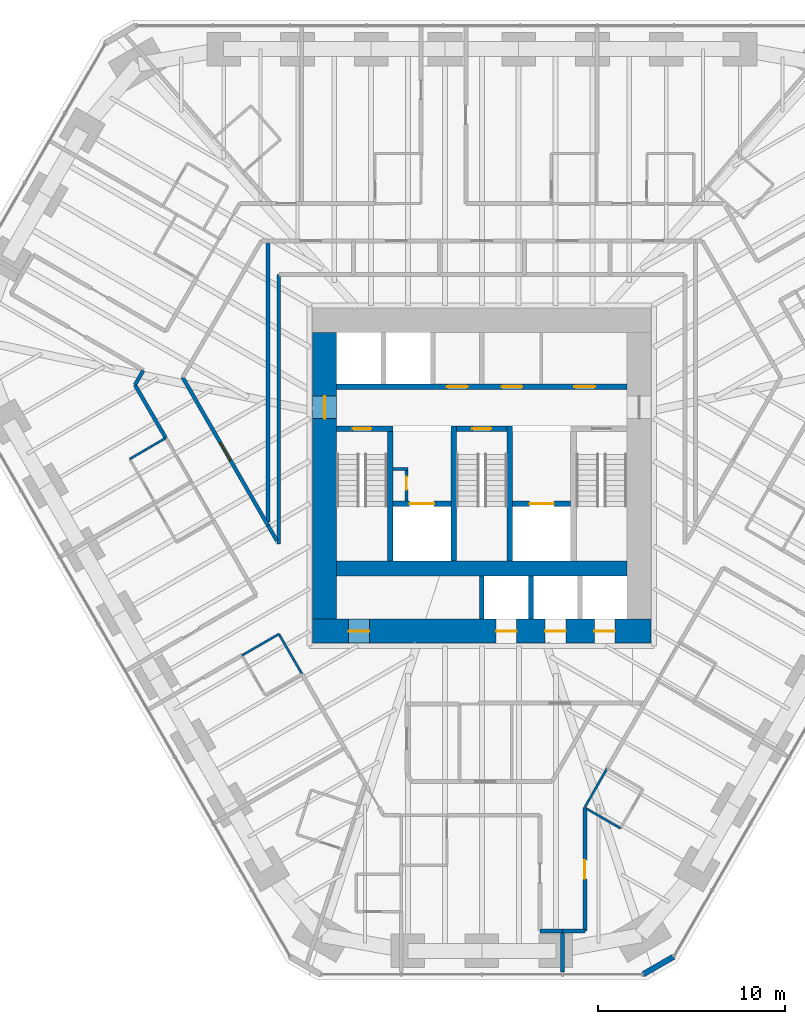
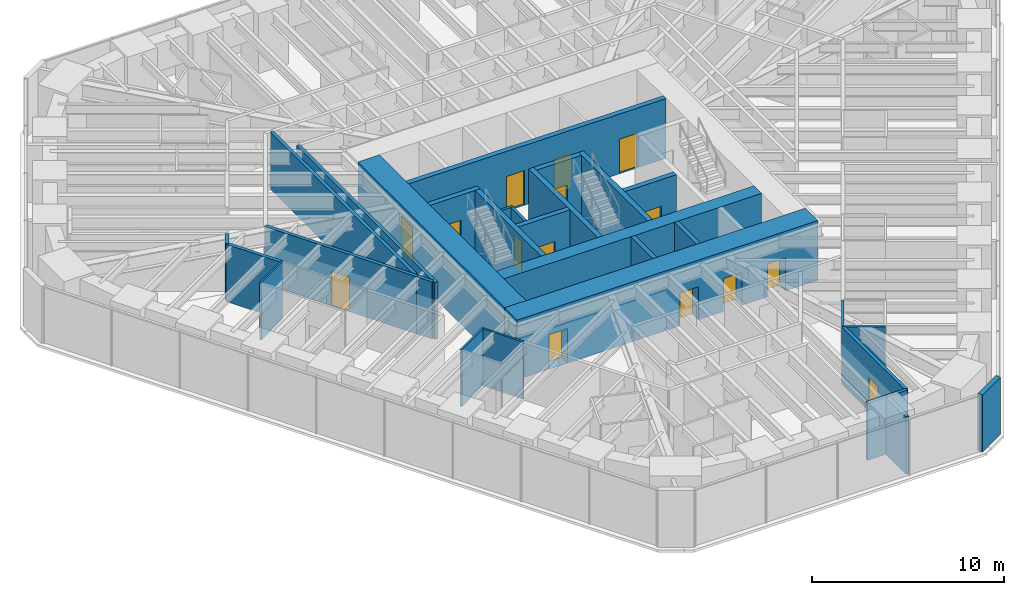
# One storey, part 12 of 17: 31 walls, 15 doors, 15 openings.
"""IFC4 building model written with IfcOpenShell, lengths in metres."""

from ifc_helpers import new_model, si_unit, direction, frame, frame_2d, origin, place, context, subcontext, project, spatial, rectangle, extrude, material, layer, layer_set, type_object, element, fill, save


model = new_model("IFC4")

# Units and contexts
model_context = context("Model", 3, precision=1e-05, world=origin(), true_north=direction((0.0, 1.0)))
body_context = subcontext(model_context, "Body", "Model", "MODEL_VIEW")
ifc_project = project(units=[si_unit("LENGTHUNIT", "METRE"), si_unit("AREAUNIT", "SQUARE_METRE"), si_unit("VOLUMEUNIT", "CUBIC_METRE"), si_unit("PLANEANGLEUNIT", "RADIAN"), si_unit("MASSUNIT", "GRAM", prefix="KILO")], contexts=[model_context])

# Site, building, storey
site_placement = place(None, origin())
site = spatial("IfcSite", under=ifc_project, at=site_placement, CompositionType="ELEMENT")
building_placement = place(site_placement, origin())
building = spatial("IfcBuilding", under=site, at=building_placement, Name="Sandreach Pilgrim Tower", CompositionType="ELEMENT")
storey_placement = place(building_placement, frame((0.0, 0.0, 123.39990234375)))
storey = spatial("IfcBuildingStorey", under=building, at=storey_placement, Name="L30", CompositionType="ELEMENT", Elevation=123.39990234375)

# Walls
ifc_material_1 = material(Name="Moisture-resistant gypsum board on steel studs", Category="steel")
ifc_layer_1 = layer(ifc_material_1, 0.1201171875)
ifc_layer_set_1 = layer_set([ifc_layer_1], Name="Bathroom partition 120")
wall_type_1 = type_object("IfcWallType", Name="Bathroom partition 120", PredefinedType="PARTITIONING", material=ifc_layer_set_1)
wall_1_placement = place(storey_placement, frame((-16.889892578125, 0.4599609375, 0.0), z_axis=(0.0, 0.0, 1.0), x_axis=(-0.863822716314, -0.503795905878, 0.0)))
element("IfcWall", 1, at=wall_1_placement, inside=storey, type_object=wall_type_1, Name="Bathroom partition L30-016", PredefinedType="PARTITIONING", context=body_context, shape_type="SweptSolid", body=[
    extrude(rectangle(XDim=2.222900390625, YDim=0.1201171875, at=frame_2d((1.111328125, 0.0))), origin(), (0.0, 0.0, 1.0), 3.64013671875),
])
wall_2_placement = place(storey_placement, frame((-12.81005859375, -11.14990234375, 0.0), z_axis=(0.0, 0.0, 1.0), x_axis=(0.865543766642, 0.500833293649, 0.0)))
element("IfcWall", 2, at=wall_2_placement, inside=storey, type_object=wall_type_1, Name="Bathroom partition L30-035", PredefinedType="PARTITIONING", context=body_context, shape_type="SweptSolid", body=[
    extrude(rectangle(XDim=2.27587890625, YDim=0.1201171875, at=frame_2d((1.137939453125, 0.0))), origin(), (0.0, 0.0, 1.0), 3.64013671875),
])
wall_3_placement = place(storey_placement, frame((-10.840087890625, -10.010009765625, 0.0), z_axis=(0.0, 0.0, 1.0), x_axis=(0.500089055364, -0.86597398154, 0.0)))
element("IfcWall", 3, at=wall_3_placement, inside=storey, type_object=wall_type_1, Name="Bathroom partition L30-048", PredefinedType="PARTITIONING", context=body_context, shape_type="SweptSolid", body=[
    extrude(rectangle(XDim=2.45947265625, YDim=0.1201171875, at=frame_2d((1.229736328125, 0.0))), origin(), (0.0, 0.0, 1.0), 3.64013671875),
])
wall_4_placement = place(storey_placement, frame((5.510009765625, -19.25, 0.0), z_axis=(0.0, 0.0, 1.0), x_axis=(0.498837591974, 0.866695481028, 0.0)))
element("IfcWall", 4, at=wall_4_placement, inside=storey, type_object=wall_type_1, Name="Bathroom partition L30-105", PredefinedType="PARTITIONING", context=body_context, shape_type="SweptSolid", body=[
    extrude(rectangle(XDim=2.365478515625, YDim=0.1201171875, at=frame_2d((1.1826171875, 0.0))), origin(), (0.0, 0.0, 1.0), 3.64013671875),
])
wall_5_placement = place(storey_placement, frame((5.566162109375, -19.322509765625, 0.0), z_axis=(0.0, 0.0, 1.0), x_axis=(0.865436746432, -0.501018201192, 0.0)))
element("IfcWall", 5, at=wall_5_placement, inside=storey, type_object=wall_type_1, Name="Bathroom partition L30-106", PredefinedType="PARTITIONING", context=body_context, shape_type="SweptSolid", body=[
    extrude(rectangle(XDim=2.13037109375, YDim=0.1201171875, at=frame_2d((1.065185546875, 0.0))), origin(), (0.0, 0.0, 1.0), 3.64013671875),
])
ifc_material_2 = material(Name="Concrete 10000 psi", Category="concrete")
ifc_layer_2 = layer(ifc_material_2, 0.300048828125)
ifc_layer_set_2 = layer_set([ifc_layer_2], Name="Core inner wall 300")
wall_type_2 = type_object("IfcWallType", Name="Core inner wall 300", PredefinedType="SHEAR", material=ifc_layer_set_2)
for number, where, z_axis, x_axis, name in (
    (6, (-4.89990234375, -6.10009765625, 0.0), (0.0, 0.0, 1.0), (0.0, 1.0, 0.0), "Core wall I0 L30"),
    (7, (-1.5, -6.10009765625, 0.0), (0.0, 0.0, 1.0), (0.0, 1.0, 0.0), "Core wall I1 L30"),
    (8, (1.5, -6.10009765625, 0.0), (0.0, 0.0, 1.0), (0.0, 1.0, 0.0), "Core wall I2 L30"),
):
    element("IfcWall", number, at=place(storey_placement, frame(where, z_axis=z_axis, x_axis=x_axis)), inside=storey, type_object=wall_type_2, Name=name, PredefinedType="SHEAR", context=body_context, shape_type="SweptSolid", body=[
        extrude(rectangle(XDim=7.2001953125, YDim=0.300048828125, at=frame_2d((3.60009765625, 0.0))), origin(), (0.0, 0.0, 1.0), 3.800048828125),
    ])

# Wall, opening, door
wall_6_placement = place(storey_placement, frame((-7.75, 0.949951171875, 0.0), z_axis=(0.0, 0.0, 1.0), x_axis=(1.0, 0.0, 0.0)))
wall_6 = element("IfcWall", 9, at=wall_6_placement, inside=storey, type_object=wall_type_2, Name="Core wall SN1 L30", PredefinedType="SHEAR", context=body_context, shape_type="SweptSolid", body=[
    extrude(rectangle(XDim=3.0, YDim=0.300048828125, at=frame_2d((1.5, 0.0))), origin(), (0.0, 0.0, 1.0), 3.800048828125),
])
opening_1_placement = place(wall_6_placement, frame((0.85009765625, 0.0, 0.0)))
opening_1 = element("IfcOpeningElement", 10, at=opening_1_placement, cuts=wall_6, Name="Opening D10S-ST1", PredefinedType="OPENING", context=body_context, shape_type="SweptSolid", body=[
    extrude(rectangle(XDim=1.0, YDim=2.199951171875, at=frame_2d((0.5, 1.10009765625))), frame((0.0, 0.14990234375, 0.0), z_axis=(0.0, -1.0, 0.0), x_axis=(1.0, 0.0, 0.0)), (0.0, 0.0, 1.0), 0.300048828125),
])
ifc_material_3 = material(Name="Steel door and frame", Category="steel")
door_type_1 = type_object("IfcDoorType", Name="Stair door", OperationType="SINGLE_SWING_LEFT", PredefinedType="DOOR", material=ifc_material_3)
door_1_placement = place(opening_1_placement, origin())
door_1 = element("IfcDoor", 11, at=door_1_placement, inside=storey, type_object=door_type_1, Name="Stair door ST1 L30", OperationType="SINGLE_SWING_LEFT", OverallHeight=2.199951171875, OverallWidth=1.0, PredefinedType="DOOR", context=body_context, shape_type="SweptSolid", body=[
    extrude(rectangle(XDim=1.0, YDim=2.199951171875, at=frame_2d((0.5, 1.10009765625))), frame((0.0, 0.02490234375, 0.0), z_axis=(0.0, -1.0, 0.0), x_axis=(1.0, 0.0, 0.0)), (0.0, 0.0, 1.0), 0.050048828125),
])
fill(opening_1, door_1)

wall_7_placement = place(storey_placement, frame((-1.35009765625, 0.949951171875, 0.0), z_axis=(0.0, 0.0, 1.0), x_axis=(1.0, 0.0, 0.0)))
wall_7 = element("IfcWall", 12, at=wall_7_placement, inside=storey, type_object=wall_type_2, Name="Core wall SN3 L30", PredefinedType="SHEAR", context=body_context, shape_type="SweptSolid", body=[
    extrude(rectangle(XDim=2.7001953125, YDim=0.300048828125, at=frame_2d((1.35009765625, 0.0))), origin(), (0.0, 0.0, 1.0), 3.800048828125),
])
opening_2_placement = place(wall_7_placement, frame((0.85009765625, 0.0, 0.0)))
opening_2 = element("IfcOpeningElement", 13, at=opening_2_placement, cuts=wall_7, Name="Opening D10S-ST3", PredefinedType="OPENING", context=body_context, shape_type="SweptSolid", body=[
    extrude(rectangle(XDim=1.0, YDim=2.199951171875, at=frame_2d((0.5, 1.10009765625))), frame((0.0, 0.14990234375, 0.0), z_axis=(0.0, -1.0, 0.0), x_axis=(1.0, 0.0, 0.0)), (0.0, 0.0, 1.0), 0.300048828125),
])
door_2_placement = place(opening_2_placement, origin())
door_2 = element("IfcDoor", 14, at=door_2_placement, inside=storey, type_object=door_type_1, Name="Stair door ST3 L30", OperationType="SINGLE_SWING_LEFT", OverallHeight=2.199951171875, OverallWidth=1.0, PredefinedType="DOOR", context=body_context, shape_type="SweptSolid", body=[
    extrude(rectangle(XDim=1.0, YDim=2.199951171875, at=frame_2d((0.5, 1.10009765625))), frame((0.0, 0.02490234375, 0.0), z_axis=(0.0, -1.0, 0.0), x_axis=(1.0, 0.0, 0.0)), (0.0, 0.0, 1.0), 0.050048828125),
])
fill(opening_2, door_2)

wall_8_placement = place(storey_placement, frame((-4.75, -3.050048828125, 0.0), z_axis=(0.0, 0.0, 1.0), x_axis=(1.0, 0.0, 0.0)))
wall_8 = element("IfcWall", 15, at=wall_8_placement, inside=storey, type_object=wall_type_2, Name="Core wall FL1 L30", PredefinedType="SHEAR", context=body_context, shape_type="SweptSolid", body=[
    extrude(rectangle(XDim=3.10009765625, YDim=0.300048828125, at=frame_2d((1.550048828125, 0.0))), origin(), (0.0, 0.0, 1.0), 3.800048828125),
])
opening_3_placement = place(wall_8_placement, frame((0.89990234375, 0.0, 0.0)))
opening_3 = element("IfcOpeningElement", 16, at=opening_3_placement, cuts=wall_8, Name="Opening LD13", PredefinedType="OPENING", context=body_context, shape_type="SweptSolid", body=[
    extrude(rectangle(XDim=1.300048828125, YDim=2.10009765625, at=frame_2d((0.64990234375, 1.050048828125))), frame((0.0, 0.14990234375, 0.0), z_axis=(0.0, -1.0, 0.0), x_axis=(1.0, 0.0, 0.0)), (0.0, 0.0, 1.0), 0.300048828125),
])
ifc_material_4 = material(Name="Steel door and frame", Category="steel")
door_type_2 = type_object("IfcDoorType", Name="Fire service lift landing door", OperationType="DOUBLE_DOOR_SLIDING", PredefinedType="DOOR", material=ifc_material_4)
door_3_placement = place(opening_3_placement, origin())
door_3 = element("IfcDoor", 17, at=door_3_placement, inside=storey, type_object=door_type_2, Name="Lift landing door FS1 L30", OperationType="DOUBLE_DOOR_SLIDING", OverallHeight=2.10009765625, OverallWidth=1.300048828125, PredefinedType="DOOR", context=body_context, shape_type="SweptSolid", body=[
    extrude(rectangle(XDim=1.300048828125, YDim=2.10009765625, at=frame_2d((0.64990234375, 1.050048828125))), frame((0.0, 0.02490234375, 0.0), z_axis=(0.0, -1.0, 0.0), x_axis=(1.0, 0.0, 0.0)), (0.0, 0.0, 1.0), 0.050048828125),
])
fill(opening_3, door_3)

wall_9_placement = place(storey_placement, frame((1.64990234375, -3.050048828125, 0.0), z_axis=(0.0, 0.0, 1.0), x_axis=(1.0, 0.0, 0.0)))
wall_9 = element("IfcWall", 18, at=wall_9_placement, inside=storey, type_object=wall_type_2, Name="Core wall FL2 L30", PredefinedType="SHEAR", context=body_context, shape_type="SweptSolid", body=[
    extrude(rectangle(XDim=3.10009765625, YDim=0.300048828125, at=frame_2d((1.550048828125, 0.0))), origin(), (0.0, 0.0, 1.0), 3.800048828125),
])
opening_4_placement = place(wall_9_placement, frame((0.89990234375, 0.0, 0.0)))
opening_4 = element("IfcOpeningElement", 19, at=opening_4_placement, cuts=wall_9, Name="Opening LD13", PredefinedType="OPENING", context=body_context, shape_type="SweptSolid", body=[
    extrude(rectangle(XDim=1.300048828125, YDim=2.10009765625, at=frame_2d((0.64990234375, 1.050048828125))), frame((0.0, 0.14990234375, 0.0), z_axis=(0.0, -1.0, 0.0), x_axis=(1.0, 0.0, 0.0)), (0.0, 0.0, 1.0), 0.300048828125),
])
door_4_placement = place(opening_4_placement, origin())
door_4 = element("IfcDoor", 20, at=door_4_placement, inside=storey, type_object=door_type_2, Name="Lift landing door FS2 L30", OperationType="DOUBLE_DOOR_SLIDING", OverallHeight=2.10009765625, OverallWidth=1.300048828125, PredefinedType="DOOR", context=body_context, shape_type="SweptSolid", body=[
    extrude(rectangle(XDim=1.300048828125, YDim=2.10009765625, at=frame_2d((0.64990234375, 1.050048828125))), frame((0.0, 0.02490234375, 0.0), z_axis=(0.0, -1.0, 0.0), x_axis=(1.0, 0.0, 0.0)), (0.0, 0.0, 1.0), 0.050048828125),
])
fill(opening_4, door_4)

# Wall, openings, doors
wall_10_placement = place(storey_placement, frame((-7.75, 3.199951171875, 0.0), z_axis=(0.0, 0.0, 1.0), x_axis=(1.0, 0.0, 0.0)))
wall_10 = element("IfcWall", 21, at=wall_10_placement, inside=storey, type_object=wall_type_2, Name="Core wall PN L30", PredefinedType="SHEAR", context=body_context, shape_type="SweptSolid", body=[
    extrude(rectangle(XDim=15.5, YDim=0.300048828125, at=frame_2d((7.75, 0.0))), origin(), (0.0, 0.0, 1.0), 3.800048828125),
])
opening_5_placement = place(wall_10_placement, frame((5.887451171875, 0.0, 0.0)))
opening_5 = element("IfcOpeningElement", 22, at=opening_5_placement, cuts=wall_10, Name="Opening D11L", PredefinedType="OPENING", context=body_context, shape_type="SweptSolid", body=[
    extrude(rectangle(XDim=1.10009765625, YDim=2.199951171875, at=frame_2d((0.550048828125, 1.10009765625))), frame((0.0, 0.14990234375, 0.0), z_axis=(0.0, -1.0, 0.0), x_axis=(1.0, 0.0, 0.0)), (0.0, 0.0, 1.0), 0.300048828125),
])
opening_6_placement = place(wall_10_placement, frame((8.8125, 0.0, 0.0)))
opening_6 = element("IfcOpeningElement", 23, at=opening_6_placement, cuts=wall_10, Name="Opening D11L", PredefinedType="OPENING", context=body_context, shape_type="SweptSolid", body=[
    extrude(rectangle(XDim=1.10009765625, YDim=2.199951171875, at=frame_2d((0.550048828125, 1.10009765625))), frame((0.0, 0.14990234375, 0.0), z_axis=(0.0, -1.0, 0.0), x_axis=(1.0, 0.0, 0.0)), (0.0, 0.0, 1.0), 0.300048828125),
])
opening_7_placement = place(wall_10_placement, frame((12.699951171875, 0.0, 0.0)))
opening_7 = element("IfcOpeningElement", 24, at=opening_7_placement, cuts=wall_10, Name="Opening D11L", PredefinedType="OPENING", context=body_context, shape_type="SweptSolid", body=[
    extrude(rectangle(XDim=1.10009765625, YDim=2.199951171875, at=frame_2d((0.550048828125, 1.10009765625))), frame((0.0, 0.14990234375, 0.0), z_axis=(0.0, -1.0, 0.0), x_axis=(1.0, 0.0, 0.0)), (0.0, 0.0, 1.0), 0.300048828125),
])
ifc_material_5 = material(Name="Steel door and frame, smoke seals", Category="steel")
door_type_3 = type_object("IfcDoorType", Name="Core room door", OperationType="SINGLE_SWING_LEFT", PredefinedType="DOOR", material=ifc_material_5)
door_5_placement = place(opening_5_placement, origin())
door_5 = element("IfcDoor", 25, at=door_5_placement, inside=storey, type_object=door_type_3, Name="Door vending and ice room 30K1", OperationType="SINGLE_SWING_LEFT", OverallHeight=2.199951171875, OverallWidth=1.10009765625, PredefinedType="DOOR", context=body_context, shape_type="SweptSolid", body=[
    extrude(rectangle(XDim=1.10009765625, YDim=2.199951171875, at=frame_2d((0.550048828125, 1.10009765625))), frame((0.0, 0.02490234375, 0.0), z_axis=(0.0, -1.0, 0.0), x_axis=(1.0, 0.0, 0.0)), (0.0, 0.0, 1.0), 0.050048828125),
])
fill(opening_5, door_5)
door_6_placement = place(opening_6_placement, origin())
door_6 = element("IfcDoor", 26, at=door_6_placement, inside=storey, type_object=door_type_3, Name="Door linen store 30K2", OperationType="SINGLE_SWING_RIGHT", OverallHeight=2.199951171875, OverallWidth=1.10009765625, PredefinedType="DOOR", context=body_context, shape_type="SweptSolid", body=[
    extrude(rectangle(XDim=1.10009765625, YDim=2.199951171875, at=frame_2d((0.550048828125, 1.10009765625))), frame((0.0, 0.02490234375, 0.0), z_axis=(0.0, -1.0, 0.0), x_axis=(1.0, 0.0, 0.0)), (0.0, 0.0, 1.0), 0.050048828125),
])
fill(opening_6, door_6)
door_7_placement = place(opening_7_placement, origin())
door_7 = element("IfcDoor", 27, at=door_7_placement, inside=storey, type_object=door_type_3, Name="Door cleaners store 30K3", OperationType="SINGLE_SWING_RIGHT", OverallHeight=2.199951171875, OverallWidth=1.10009765625, PredefinedType="DOOR", context=body_context, shape_type="SweptSolid", body=[
    extrude(rectangle(XDim=1.10009765625, YDim=2.199951171875, at=frame_2d((0.550048828125, 1.10009765625))), frame((0.0, 0.02490234375, 0.0), z_axis=(0.0, -1.0, 0.0), x_axis=(1.0, 0.0, 0.0)), (0.0, 0.0, 1.0), 0.050048828125),
])
fill(opening_7, door_7)

# Wall
ifc_material_6 = material(Name="Concrete 10000 psi", Category="concrete")
ifc_layer_3 = layer(ifc_material_6, 0.800048828125)
ifc_layer_set_3 = layer_set([ifc_layer_3], Name="Core mid wall 800")
wall_type_3 = type_object("IfcWallType", Name="Core mid wall 800", PredefinedType="SHEAR", material=ifc_layer_set_3)
wall_11_placement = place(storey_placement, frame((-7.75, -6.5, 0.0), z_axis=(0.0, 0.0, 1.0), x_axis=(1.0, 0.0, 0.0)))
element("IfcWall", 28, at=wall_11_placement, inside=storey, type_object=wall_type_3, Name="Core wall M L30", PredefinedType="SHEAR", context=body_context, shape_type="SweptSolid", body=[
    extrude(rectangle(XDim=15.5, YDim=0.800048828125, at=frame_2d((7.75, 0.0))), origin(), (0.0, 0.0, 1.0), 3.800048828125),
])

# Wall, openings, doors
ifc_material_7 = material(Name="Concrete 10000 psi", Category="concrete")
ifc_layer_4 = layer(ifc_material_7, 1.300048828125)
ifc_layer_set_4 = layer_set([ifc_layer_4], Name="Core wall 1300")
wall_type_4 = type_object("IfcWallType", Name="Core wall 1300", PredefinedType="SHEAR", material=ifc_layer_set_4)
wall_12_placement = place(storey_placement, frame((-9.050048828125, -9.85009765625, 0.0), z_axis=(0.0, 0.0, 1.0), x_axis=(1.0, 0.0, 0.0)))
wall_12 = element("IfcWall", 29, at=wall_12_placement, inside=storey, type_object=wall_type_4, Name="Core wall S L30", PredefinedType="SHEAR", context=body_context, shape_type="SweptSolid", body=[
    extrude(rectangle(XDim=18.10009765625, YDim=1.300048828125, at=frame_2d((9.050048828125, 0.0))), origin(), (0.0, 0.0, 1.0), 3.800048828125),
])
opening_8_placement = place(wall_12_placement, frame((1.9375, 0.0, 0.0)))
opening_8 = element("IfcOpeningElement", 30, at=opening_8_placement, cuts=wall_12, Name="Opening D11H", PredefinedType="OPENING", context=body_context, shape_type="SweptSolid", body=[
    extrude(rectangle(XDim=1.10009765625, YDim=2.199951171875, at=frame_2d((0.550048828125, 1.10009765625))), frame((0.0, 0.64990234375, 0.0), z_axis=(0.0, -1.0, 0.0), x_axis=(1.0, 0.0, 0.0)), (0.0, 0.0, 1.0), 1.300048828125),
])
opening_9_placement = place(wall_12_placement, frame((9.8125, 0.0, 0.0)))
opening_9 = element("IfcOpeningElement", 31, at=opening_9_placement, cuts=wall_12, Name="Opening LD11", PredefinedType="OPENING", context=body_context, shape_type="SweptSolid", body=[
    extrude(rectangle(XDim=1.10009765625, YDim=2.10009765625, at=frame_2d((0.550048828125, 1.050048828125))), frame((0.0, 0.64990234375, 0.0), z_axis=(0.0, -1.0, 0.0), x_axis=(1.0, 0.0, 0.0)), (0.0, 0.0, 1.0), 1.300048828125),
])
opening_10_placement = place(wall_12_placement, frame((12.4375, 0.0, 0.0)))
opening_10 = element("IfcOpeningElement", 32, at=opening_10_placement, cuts=wall_12, Name="Opening LD11", PredefinedType="OPENING", context=body_context, shape_type="SweptSolid", body=[
    extrude(rectangle(XDim=1.10009765625, YDim=2.10009765625, at=frame_2d((0.550048828125, 1.050048828125))), frame((0.0, 0.64990234375, 0.0), z_axis=(0.0, -1.0, 0.0), x_axis=(1.0, 0.0, 0.0)), (0.0, 0.0, 1.0), 1.300048828125),
])
opening_11_placement = place(wall_12_placement, frame((15.0625, 0.0, 0.0)))
opening_11 = element("IfcOpeningElement", 33, at=opening_11_placement, cuts=wall_12, Name="Opening LD11", PredefinedType="OPENING", context=body_context, shape_type="SweptSolid", body=[
    extrude(rectangle(XDim=1.10009765625, YDim=2.10009765625, at=frame_2d((0.550048828125, 1.050048828125))), frame((0.0, 0.64990234375, 0.0), z_axis=(0.0, -1.0, 0.0), x_axis=(1.0, 0.0, 0.0)), (0.0, 0.0, 1.0), 1.300048828125),
])
ifc_material_8 = material(Name="Steel door and frame", Category="steel")
door_type_4 = type_object("IfcDoorType", Name="Back of house door", OperationType="SINGLE_SWING_LEFT", PredefinedType="DOOR", material=ifc_material_8)
door_8_placement = place(opening_8_placement, origin())
door_8 = element("IfcDoor", 34, at=door_8_placement, inside=storey, type_object=door_type_4, Name="Door staff room 30K4", OperationType="SINGLE_SWING_LEFT", OverallHeight=2.199951171875, OverallWidth=1.10009765625, PredefinedType="DOOR", context=body_context, shape_type="SweptSolid", body=[
    extrude(rectangle(XDim=1.10009765625, YDim=2.199951171875, at=frame_2d((0.550048828125, 1.10009765625))), frame((0.0, 0.02490234375, 0.0), z_axis=(0.0, -1.0, 0.0), x_axis=(1.0, 0.0, 0.0)), (0.0, 0.0, 1.0), 0.050048828125),
])
fill(opening_8, door_8)
ifc_material_9 = material(Name="Steel door and frame", Category="steel")
door_type_5 = type_object("IfcDoorType", Name="Lift landing door", OperationType="DOUBLE_DOOR_SLIDING", PredefinedType="DOOR", material=ifc_material_9)
door_9_placement = place(opening_9_placement, origin())
door_9 = element("IfcDoor", 35, at=door_9_placement, inside=storey, type_object=door_type_5, Name="Lift landing door Z2A L30", OperationType="DOUBLE_DOOR_SLIDING", OverallHeight=2.10009765625, OverallWidth=1.10009765625, PredefinedType="DOOR", context=body_context, shape_type="SweptSolid", body=[
    extrude(rectangle(XDim=1.10009765625, YDim=2.10009765625, at=frame_2d((0.550048828125, 1.050048828125))), frame((0.0, 0.02490234375, 0.0), z_axis=(0.0, -1.0, 0.0), x_axis=(1.0, 0.0, 0.0)), (0.0, 0.0, 1.0), 0.050048828125),
])
fill(opening_9, door_9)
door_10_placement = place(opening_10_placement, origin())
door_10 = element("IfcDoor", 36, at=door_10_placement, inside=storey, type_object=door_type_5, Name="Lift landing door Z2B L30", OperationType="DOUBLE_DOOR_SLIDING", OverallHeight=2.10009765625, OverallWidth=1.10009765625, PredefinedType="DOOR", context=body_context, shape_type="SweptSolid", body=[
    extrude(rectangle(XDim=1.10009765625, YDim=2.10009765625, at=frame_2d((0.550048828125, 1.050048828125))), frame((0.0, 0.02490234375, 0.0), z_axis=(0.0, -1.0, 0.0), x_axis=(1.0, 0.0, 0.0)), (0.0, 0.0, 1.0), 0.050048828125),
])
fill(opening_10, door_10)
door_11_placement = place(opening_11_placement, origin())
door_11 = element("IfcDoor", 37, at=door_11_placement, inside=storey, type_object=door_type_5, Name="Lift landing door Z2C L30", OperationType="DOUBLE_DOOR_SLIDING", OverallHeight=2.10009765625, OverallWidth=1.10009765625, PredefinedType="DOOR", context=body_context, shape_type="SweptSolid", body=[
    extrude(rectangle(XDim=1.10009765625, YDim=2.10009765625, at=frame_2d((0.550048828125, 1.050048828125))), frame((0.0, 0.02490234375, 0.0), z_axis=(0.0, -1.0, 0.0), x_axis=(1.0, 0.0, 0.0)), (0.0, 0.0, 1.0), 0.050048828125),
])
fill(opening_11, door_11)

# Wall, opening, door
wall_13_placement = place(storey_placement, frame((-8.39990234375, -9.199951171875, 0.0), z_axis=(0.0, 0.0, 1.0), x_axis=(0.0, 1.0, 0.0)))
wall_13 = element("IfcWall", 38, at=wall_13_placement, inside=storey, type_object=wall_type_4, Name="Core wall W L30", PredefinedType="SHEAR", context=body_context, shape_type="SweptSolid", body=[
    extrude(rectangle(XDim=15.300048828125, YDim=1.300048828125, at=frame_2d((7.64990234375, 0.0))), origin(), (0.0, 0.0, 1.0), 3.800048828125),
])
opening_12_placement = place(wall_13_placement, frame((10.699951171875, 0.0, 0.0)))
opening_12 = element("IfcOpeningElement", 39, at=opening_12_placement, cuts=wall_13, Name="Opening D12F-W", PredefinedType="OPENING", context=body_context, shape_type="SweptSolid", body=[
    extrude(rectangle(XDim=1.199951171875, YDim=2.199951171875, at=frame_2d((0.60009765625, 1.10009765625))), frame((0.0, 0.64990234375, 0.0), z_axis=(0.0, -1.0, 0.0), x_axis=(1.0, 0.0, 0.0)), (0.0, 0.0, 1.0), 1.300048828125),
])
ifc_material_10 = material(Name="Steel door and frame", Category="steel")
door_type_6 = type_object("IfcDoorType", Name="Fire lobby door", OperationType="SINGLE_SWING_LEFT", PredefinedType="DOOR", material=ifc_material_10)
door_12_placement = place(opening_12_placement, origin())
door_12 = element("IfcDoor", 40, at=door_12_placement, inside=storey, type_object=door_type_6, Name="Fire service lobby door W L30", OperationType="SINGLE_SWING_RIGHT", OverallHeight=2.199951171875, OverallWidth=1.199951171875, PredefinedType="DOOR", context=body_context, shape_type="SweptSolid", body=[
    extrude(rectangle(XDim=1.199951171875, YDim=2.199951171875, at=frame_2d((0.60009765625, 1.10009765625))), frame((0.0, 0.02490234375, 0.0), z_axis=(0.0, -1.0, 0.0), x_axis=(1.0, 0.0, 0.0)), (0.0, 0.0, 1.0), 0.050048828125),
])
fill(opening_12, door_12)

# Walls
ifc_material_11 = material(Name="Gypsum board on steel studs, two layers each side", Category="steel")
ifc_layer_5 = layer(ifc_material_11, 0.199951171875)
ifc_layer_set_5 = layer_set([ifc_layer_5], Name="Corridor wall 200")
wall_type_5 = type_object("IfcWallType", Name="Corridor wall 200", PredefinedType="PARTITIONING", material=ifc_layer_set_5)
wall_14_placement = place(storey_placement, frame((-18.530029296875, 3.300048828125, 0.0), z_axis=(0.0, 0.0, 1.0), x_axis=(0.502321995867, -0.864680641895, 0.0)))
element("IfcWall", 41, at=wall_14_placement, inside=storey, type_object=wall_type_5, Name="Corridor wall L30-008", PredefinedType="PARTITIONING", context=body_context, shape_type="SweptSolid", body=[
    extrude(rectangle(XDim=3.28466796875, YDim=0.199951171875, at=frame_2d((1.642333984375, 0.0))), origin(), (0.0, 0.0, 1.0), 3.64013671875),
])
wall_15_placement = place(storey_placement, frame((-18.08740234375, 4.06689453125, 0.0), z_axis=(0.0, 0.0, 1.0), x_axis=(-0.499905448813, -0.866079986056, 0.0)))
element("IfcWall", 42, at=wall_15_placement, inside=storey, type_object=wall_type_5, Name="Corridor wall L30-009", PredefinedType="PARTITIONING", context=body_context, shape_type="SweptSolid", body=[
    extrude(rectangle(XDim=0.885498046875, YDim=0.199951171875, at=frame_2d((0.44287109375, 0.0))), origin(), (0.0, 0.0, 1.0), 3.64013671875),
])

# Wall, opening, door
wall_16_placement = place(storey_placement, frame((-11.419921875, -4.2099609375, 0.0), z_axis=(0.0, 0.0, 1.0), x_axis=(-0.499446957289, 0.866344467781, 0.0)))
wall_16 = element("IfcWall", 43, at=wall_16_placement, inside=storey, type_object=wall_type_5, Name="Corridor wall L30-042", PredefinedType="PARTITIONING", context=body_context, shape_type="SweptSolid", body=[
    extrude(rectangle(XDim=9.130126953125, YDim=0.199951171875, at=frame_2d((4.56494140625, 0.0))), origin(), (0.0, 0.0, 1.0), 3.64013671875),
])
opening_13_placement = place(wall_16_placement, frame((4.01513671875, 0.0, 0.0)))
opening_13 = element("IfcOpeningElement", 44, at=opening_13_placement, cuts=wall_16, Name="Opening D11H-M01", PredefinedType="OPENING", context=body_context, shape_type="SweptSolid", body=[
    extrude(rectangle(XDim=1.10009765625, YDim=2.199951171875, at=frame_2d((0.550048828125, 1.10009765625))), frame((0.0, 0.10009765625, 0.0), z_axis=(0.0, -1.0, 0.0), x_axis=(1.0, 0.0, 0.0)), (0.0, 0.0, 1.0), 0.199951171875),
])
door_13_placement = place(opening_13_placement, origin())
door_13 = element("IfcDoor", 45, at=door_13_placement, inside=storey, type_object=door_type_4, Name="Door 30M01", OperationType="SINGLE_SWING_LEFT", OverallHeight=2.199951171875, OverallWidth=1.10009765625, PredefinedType="DOOR", context=body_context, shape_type="SweptSolid", body=[
    extrude(rectangle(XDim=1.10009765625, YDim=2.199951171875, at=frame_2d((0.550048828125, 1.10009765625))), frame((0.0, 0.02490234375, 0.0), z_axis=(0.0, -1.0, 0.0), x_axis=(1.0, 0.0, 0.0)), (0.0, 0.0, 1.0), 0.050048828125),
])
fill(opening_13, door_13)

# Walls
wall_17_placement = place(storey_placement, frame((-10.947998046875, -5.021484375, 0.0), z_axis=(0.0, 0.0, 1.0), x_axis=(-0.502706337432, 0.86445725071, 0.0)))
element("IfcWall", 46, at=wall_17_placement, inside=storey, type_object=wall_type_5, Name="Corridor wall L30-046", PredefinedType="PARTITIONING", context=body_context, shape_type="SweptSolid", body=[
    extrude(rectangle(XDim=0.938720703125, YDim=0.199951171875, at=frame_2d((0.46923828125, 0.0))), origin(), (0.0, 0.0, 1.0), 3.64013671875),
])
wall_18_placement = place(storey_placement, frame((-10.85009765625, 9.199951171875, 0.0), z_axis=(0.0, 0.0, 1.0), x_axis=(0.0, -1.0, 0.0)))
element("IfcWall", 47, at=wall_18_placement, inside=storey, type_object=wall_type_5, Name="Corridor wall L30-047", PredefinedType="PARTITIONING", context=body_context, shape_type="SweptSolid", body=[
    extrude(rectangle(XDim=14.389892578125, YDim=0.199951171875, at=frame_2d((7.19482421875, 0.0))), origin(), (0.0, 0.0, 1.0), 3.64013671875),
])
for number, where, z_axis, x_axis, name in (
    (48, (3.1201171875, -25.8798828125, 0.0), (0.0, 0.0, 1.0), (1.0, 0.0, 0.0), "Corridor wall L30-098"),
    (49, (4.31005859375, -25.8798828125, 0.0), (0.0, 0.0, 1.0), (1.0, 0.0, 0.0), "Corridor wall L30-103"),
):
    element("IfcWall", number, at=place(storey_placement, frame(where, z_axis=z_axis, x_axis=x_axis)), inside=storey, type_object=wall_type_5, Name=name, PredefinedType="PARTITIONING", context=body_context, shape_type="SweptSolid", body=[
        extrude(rectangle(XDim=1.18994140625, YDim=0.199951171875, at=frame_2d((0.594970703125, 0.0))), origin(), (0.0, 0.0, 1.0), 3.64013671875),
    ])

# Wall, opening, door
wall_19_placement = place(storey_placement, frame((5.510009765625, -25.8798828125, 0.0), z_axis=(0.0, 0.0, 1.0), x_axis=(0.0, 1.0, 0.0)))
wall_19 = element("IfcWall", 50, at=wall_19_placement, inside=storey, type_object=wall_type_5, Name="Corridor wall L30-104", PredefinedType="PARTITIONING", context=body_context, shape_type="SweptSolid", body=[
    extrude(rectangle(XDim=6.58984375, YDim=0.199951171875, at=frame_2d((3.294921875, 0.0))), origin(), (0.0, 0.0, 1.0), 3.64013671875),
])
opening_14_placement = place(wall_19_placement, frame((2.794921875, 0.0, 0.0)))
opening_14 = element("IfcOpeningElement", 51, at=opening_14_placement, cuts=wall_19, Name="Opening D10-11", PredefinedType="OPENING", context=body_context, shape_type="SweptSolid", body=[
    extrude(rectangle(XDim=1.0, YDim=2.1298828125, at=frame_2d((0.5, 1.06494140625))), frame((0.0, 0.10009765625, 0.0), z_axis=(0.0, -1.0, 0.0), x_axis=(1.0, 0.0, 0.0)), (0.0, 0.0, 1.0), 0.199951171875),
])
ifc_material_12 = material(Name="Steel door and frame", Category="steel")
door_type_7 = type_object("IfcDoorType", Name="Guest room entry door", OperationType="SINGLE_SWING_LEFT", PredefinedType="DOOR", material=ifc_material_12)
door_14_placement = place(opening_14_placement, origin())
door_14 = element("IfcDoor", 52, at=door_14_placement, inside=storey, type_object=door_type_7, Name="Door 3011", OperationType="SINGLE_SWING_LEFT", OverallHeight=2.1298828125, OverallWidth=1.0, PredefinedType="DOOR", context=body_context, shape_type="SweptSolid", body=[
    extrude(rectangle(XDim=1.0, YDim=2.1298828125, at=frame_2d((0.5, 1.06494140625))), frame((0.0, 0.02490234375, 0.0), z_axis=(0.0, -1.0, 0.0), x_axis=(1.0, 0.0, 0.0)), (0.0, 0.0, 1.0), 0.050048828125),
])
fill(opening_14, door_14)

# Walls
ifc_material_13 = material(Name="Double steel stud acoustic wall, gypsum board", Category="steel")
ifc_layer_6 = layer(ifc_material_13, 0.199951171875)
ifc_layer_set_6 = layer_set([ifc_layer_6], Name="Party wall 200")
wall_type_6 = type_object("IfcWallType", Name="Party wall 200", PredefinedType="PARTITIONING", material=ifc_layer_set_6)
wall_20_placement = place(storey_placement, frame((-11.419921875, 10.97998046875, 0.0), z_axis=(0.0, 0.0, 1.0), x_axis=(0.0, -1.0, 0.0)))
element("IfcWall", 53, at=wall_20_placement, inside=storey, type_object=wall_type_6, Name="Party wall L30-043", PredefinedType="PARTITIONING", context=body_context, shape_type="SweptSolid", body=[
    extrude(rectangle(XDim=14.994873046875, YDim=0.199951171875, at=frame_2d((7.49755859375, 0.0))), origin(), (0.0, 0.0, 1.0), 3.64013671875),
])
wall_21_placement = place(storey_placement, frame((4.31005859375, -28.070068359375, 0.0), z_axis=(0.0, 0.0, 1.0), x_axis=(0.0, 1.0, 0.0)))
element("IfcWall", 54, at=wall_21_placement, inside=storey, type_object=wall_type_6, Name="Party wall L30-102", PredefinedType="PARTITIONING", context=body_context, shape_type="SweptSolid", body=[
    extrude(rectangle(XDim=2.18017578125, YDim=0.199951171875, at=frame_2d((1.090087890625, 0.0))), origin(), (0.0, 0.0, 1.0), 3.64013671875),
])

# Wall, opening, door
ifc_material_14 = material(Name="Gypsum shaft wall on steel studs, shaft liner board", Category="steel")
ifc_layer_7 = layer(ifc_material_14, 0.14990234375)
ifc_layer_set_7 = layer_set([ifc_layer_7], Name="Riser shaft wall 150")
wall_type_7 = type_object("IfcWallType", Name="Riser shaft wall 150", PredefinedType="PARTITIONING", material=ifc_layer_set_7)
wall_22_placement = place(storey_placement, frame((-4.02490234375, -2.89990234375, 0.0), z_axis=(0.0, 0.0, 1.0), x_axis=(0.0, 1.0, 0.0)))
wall_22 = element("IfcWall", 55, at=wall_22_placement, inside=storey, type_object=wall_type_7, Name="Riser partition L30 side", PredefinedType="PARTITIONING", context=body_context, shape_type="SweptSolid", body=[
    extrude(rectangle(XDim=1.77490234375, YDim=0.14990234375, at=frame_2d((0.887451171875, 0.0))), origin(), (0.0, 0.0, 1.0), 3.64013671875),
])
opening_15_placement = place(wall_22_placement, frame((0.60009765625, 0.0, 0.0)))
opening_15 = element("IfcOpeningElement", 56, at=opening_15_placement, cuts=wall_22, Name="Opening D07R", PredefinedType="OPENING", context=body_context, shape_type="SweptSolid", body=[
    extrude(rectangle(XDim=0.699951171875, YDim=2.10009765625, at=frame_2d((0.35009765625, 1.050048828125))), frame((0.0, 0.074951171875, 0.0), z_axis=(0.0, -1.0, 0.0), x_axis=(1.0, 0.0, 0.0)), (0.0, 0.0, 1.0), 0.14990234375),
])
ifc_material_15 = material(Name="Steel door and frame, smoke seals", Category="steel")
door_type_8 = type_object("IfcDoorType", Name="Riser access door", OperationType="SINGLE_SWING_RIGHT", PredefinedType="DOOR", material=ifc_material_15)
door_15_placement = place(opening_15_placement, origin())
door_15 = element("IfcDoor", 57, at=door_15_placement, inside=storey, type_object=door_type_8, Name="Door riser 30ER", OperationType="SINGLE_SWING_RIGHT", OverallHeight=2.10009765625, OverallWidth=0.699951171875, PredefinedType="DOOR", context=body_context, shape_type="SweptSolid", body=[
    extrude(rectangle(XDim=0.699951171875, YDim=2.10009765625, at=frame_2d((0.35009765625, 1.050048828125))), frame((0.0, 0.02490234375, 0.0), z_axis=(0.0, -1.0, 0.0), x_axis=(1.0, 0.0, 0.0)), (0.0, 0.0, 1.0), 0.050048828125),
])
fill(opening_15, door_15)

# Walls
wall_23_placement = place(storey_placement, frame((-4.75, -1.199951171875, 0.0), z_axis=(0.0, 0.0, 1.0), x_axis=(1.0, 0.0, 0.0)))
element("IfcWall", 58, at=wall_23_placement, inside=storey, type_object=wall_type_7, Name="Riser partition L30 front", PredefinedType="PARTITIONING", context=body_context, shape_type="SweptSolid", body=[
    extrude(rectangle(XDim=0.800048828125, YDim=0.14990234375, at=frame_2d((0.39990234375, 0.0))), origin(), (0.0, 0.0, 1.0), 3.64013671875),
])
ifc_material_16 = material(Name="Gypsum shaft wall on steel studs, two layers of shaft liner board", Category="steel")
ifc_layer_8 = layer(ifc_material_16, 0.25)
ifc_layer_set_8 = layer_set([ifc_layer_8], Name="Shaft partition 250")
wall_type_8 = type_object("IfcWallType", Name="Shaft partition 250", PredefinedType="PARTITIONING", material=ifc_layer_set_8)
for number, where, z_axis, x_axis, name in (
    (59, (0.0, -9.199951171875, 0.0), (0.0, 0.0, 1.0), (0.0, 1.0, 0.0), "Shaft partition XS2 L30"),
    (60, (2.625, -9.199951171875, 0.0), (0.0, 0.0, 1.0), (0.0, 1.0, 0.0), "Shaft partition XS3 L30"),
):
    element("IfcWall", number, at=place(storey_placement, frame(where, z_axis=z_axis, x_axis=x_axis)), inside=storey, type_object=wall_type_8, Name=name, PredefinedType="PARTITIONING", context=body_context, shape_type="SweptSolid", body=[
        extrude(rectangle(XDim=2.300048828125, YDim=0.25, at=frame_2d((1.14990234375, 0.0))), origin(), (0.0, 0.0, 1.0), 3.800048828125),
    ])
ifc_material_17 = material(Name="Terracotta rainscreen on concrete", Category="masonry")
ifc_layer_9 = layer(ifc_material_17, 0.300048828125)
ifc_layer_set_9 = layer_set([ifc_layer_9], Name="Terracotta chamfer pier")
wall_type_9 = type_object("IfcWallType", Name="Terracotta chamfer pier", PredefinedType="SOLIDWALL", material=ifc_layer_set_9)
wall_24_placement = place(storey_placement, frame((10.239501953125, -27.252197265625, 0.0), z_axis=(0.0, 0.0, 1.0), x_axis=(-0.866045024864, -0.499966013754, 0.0)))
element("IfcWall", 61, at=wall_24_placement, inside=storey, type_object=wall_type_9, Name="Chamfer pier L30 SE", PredefinedType="SOLIDWALL", context=body_context, shape_type="SweptSolid", body=[
    extrude(rectangle(XDim=1.880126953125, YDim=0.300048828125, at=frame_2d((0.93994140625, 0.0))), origin(), (0.0, 0.0, 1.0), 3.64013671875),
])

save(model, "model.ifc")
